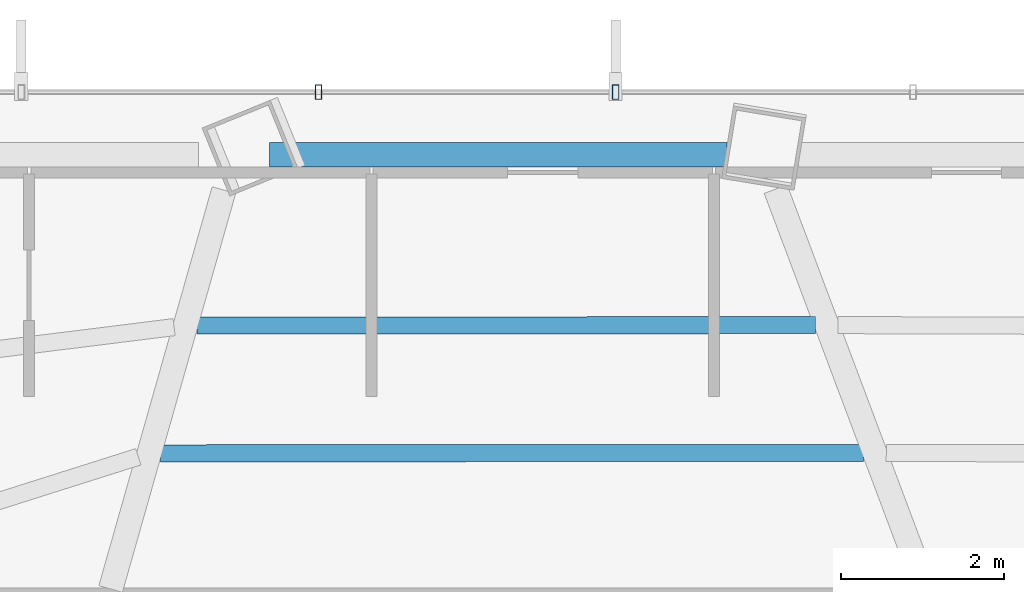
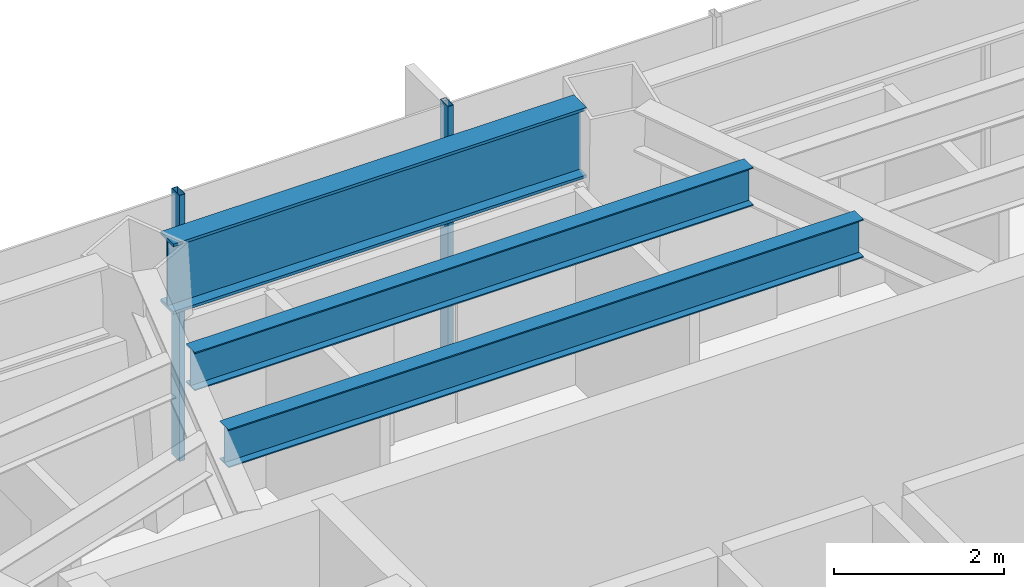
# One storey, part 14 of 27: 3 beams, 2 members, 1 element without a shape of its own.
"""IFC4 building model written with IfcOpenShell, lengths in metres."""

from ifc_helpers import new_model, si_unit, direction, frame, origin, origin_2d, place, context, subcontext, project, spatial, hollow_rectangle, i_section, extrude, material, layer, layer_set, material_profile, profile_set, type_object, element, aggregate, save


model = new_model("IFC4")

# Units and contexts
model_context = context("Model", 3, precision=1e-05, world=origin(), true_north=direction((0.0, 1.0)))
body_context = subcontext(model_context, "Body", "Model", "MODEL_VIEW")
ifc_project = project(units=[si_unit("LENGTHUNIT", "METRE"), si_unit("AREAUNIT", "SQUARE_METRE"), si_unit("VOLUMEUNIT", "CUBIC_METRE"), si_unit("PLANEANGLEUNIT", "RADIAN"), si_unit("MASSUNIT", "GRAM", prefix="KILO")], contexts=[model_context])

# Site, building, storey
site_placement = place(None, origin())
site = spatial("IfcSite", under=ifc_project, at=site_placement, CompositionType="ELEMENT")
building_placement = place(site_placement, origin())
building = spatial("IfcBuilding", under=site, at=building_placement, Name="Zarrinselat Tower", CompositionType="ELEMENT")
storey_placement = place(building_placement, frame((0.0, 0.0, 80.580078125)))
storey = spatial("IfcBuildingStorey", under=building, at=storey_placement, Name="L19", CompositionType="ELEMENT", Elevation=80.580078125)

# Beams
ifc_material_1 = material(Name="Steel S460M", Category="steel")
ifc_material_profile_1 = material_profile(ifc_material_1, i_section(OverallWidth=0.302001953125, OverallDepth=1.008056640625, WebThickness=0.02099609375, FlangeThickness=0.0400390625, at=origin_2d()), Name="HEM 1000")
ifc_profile_set_1 = profile_set([ifc_material_profile_1], Name="Steel S460M")
beam_type_1 = type_object("IfcBeamType", Name="BM-HEM1000", PredefinedType="BEAM", material=ifc_profile_set_1)
beam_1_placement = place(storey_placement, frame((32.95068359375, 48.966796875, 3.31591796875), z_axis=(1.0, 0.0, 0.0), x_axis=(0.0, 1.0, 0.0)))
element("IfcBeam", 1, at=beam_1_placement, inside=storey, type_object=beam_type_1, Name="L19 Perimeter Spandrel Girder SP03", PredefinedType="BEAM", context=body_context, shape_type="SweptSolid", body=[
    extrude(i_section(OverallWidth=0.302001953125, OverallDepth=1.008056640625, WebThickness=0.02099609375, FlangeThickness=0.0400390625, at=origin_2d()), origin(), (0.0, 0.0, 1.0), 5.609375),
])
ifc_material_2 = material(Name="Steel S355J2", Category="steel")
ifc_material_profile_2 = material_profile(ifc_material_2, i_section(OverallWidth=0.2099609375, OverallDepth=0.550048828125, WebThickness=0.010986328125, FlangeThickness=0.01708984375, at=origin_2d()), Name="IPE 550")
ifc_profile_set_2 = profile_set([ifc_material_profile_2], Name="Steel S355J2")
beam_type_2 = type_object("IfcBeamType", Name="BM-IPE550", PredefinedType="JOIST", material=ifc_profile_set_2)
beam_2_placement = place(storey_placement, frame((32.056884765625, 46.868896484375, 3.544921875), z_axis=(0.999999533996, 0.000965405825, 0.0), x_axis=(-0.000965405825, 0.999999533996, 0.0)))
element("IfcBeam", 2, at=beam_2_placement, inside=storey, type_object=beam_type_2, Name="L19 Composite Floor Joist 8-1", PredefinedType="JOIST", context=body_context, shape_type="SweptSolid", body=[
    extrude(i_section(OverallWidth=0.2099609375, OverallDepth=0.550048828125, WebThickness=0.010986328125, FlangeThickness=0.01708984375, at=origin_2d()), origin(), (0.0, 0.0, 1.0), 7.586669921875),
])
beam_3_placement = place(storey_placement, frame((31.6123046875, 45.30322265625, 3.544921875), z_axis=(0.999999897349, 0.000453103714, 0.0), x_axis=(-0.000453103714, 0.999999897349, 0.0)))
element("IfcBeam", 3, at=beam_3_placement, inside=storey, type_object=beam_type_2, Name="L19 Composite Floor Joist 8-2", PredefinedType="JOIST", context=body_context, shape_type="SweptSolid", body=[
    extrude(i_section(OverallWidth=0.2099609375, OverallDepth=0.550048828125, WebThickness=0.010986328125, FlangeThickness=0.01708984375, at=origin_2d()), origin(), (0.0, 0.0, 1.0), 8.62109375),
])

# Curtain wall, members
ifc_material_3 = material(Name="Extruded Aluminium Alloy EN AW-6063 T6", Category="aluminium")
ifc_layer = layer(ifc_material_3, 0.18505859375)
ifc_layer_set = layer_set([ifc_layer], Name="Extruded Aluminium Alloy EN AW-6063 T6")
curtain_wall_type = type_object("IfcCurtainWallType", Name="CWS-OFF", PredefinedType="NOTDEFINED", material=ifc_layer_set)
curtain_wall_placement = place(storey_placement, origin())
curtain_wall = element("IfcCurtainWall", 4, at=curtain_wall_placement, inside=storey, type_object=curtain_wall_type, Name="L19 Unitised Curtain Wall CW-L19-E01", PredefinedType="NOTDEFINED")
ifc_material_4 = material(Name="Extruded Aluminium Alloy EN AW-6063 T6", Category="aluminium")
ifc_material_profile_3 = material_profile(ifc_material_4, hollow_rectangle(XDim=0.080078125, YDim=0.179931640625, WallThickness=0.0048828125, at=origin_2d()), Name="RHS 180x80x5")
ifc_profile_set_3 = profile_set([ifc_material_profile_3], Name="Extruded Aluminium Alloy EN AW-6063 T6")
member_type = type_object("IfcMemberType", Name="MEM-CW-MUL", PredefinedType="MULLION", material=ifc_profile_set_3)
member_1_placement = place(storey_placement, frame((37.194580078125, 49.7333984375, 0.0), z_axis=(0.0, 0.0, 1.0), x_axis=(-1.0, 0.0, 0.0)))
member_1 = element("IfcMember", 5, at=member_1_placement, type_object=member_type, Name="CW-L19-E01 Mullion 5", PredefinedType="MULLION", context=body_context, shape_type="SweptSolid", body=[
    extrude(hollow_rectangle(XDim=0.080078125, YDim=0.179931640625, WallThickness=0.0048828125, at=origin_2d()), origin(), (0.0, 0.0, 1.0), 3.81982421875),
])
member_2_placement = place(storey_placement, frame((33.549072265625, 49.7333984375, 0.0), z_axis=(0.0, 0.0, 1.0), x_axis=(-1.0, 0.0, 0.0)))
member_2 = element("IfcMember", 6, at=member_2_placement, type_object=member_type, Name="CW-L19-E01 Mullion 6", PredefinedType="MULLION", context=body_context, shape_type="SweptSolid", body=[
    extrude(hollow_rectangle(XDim=0.080078125, YDim=0.179931640625, WallThickness=0.0048828125, at=origin_2d()), origin(), (0.0, 0.0, 1.0), 3.81982421875),
])
aggregate(curtain_wall, [member_1, member_2])

save(model, "model.ifc")
